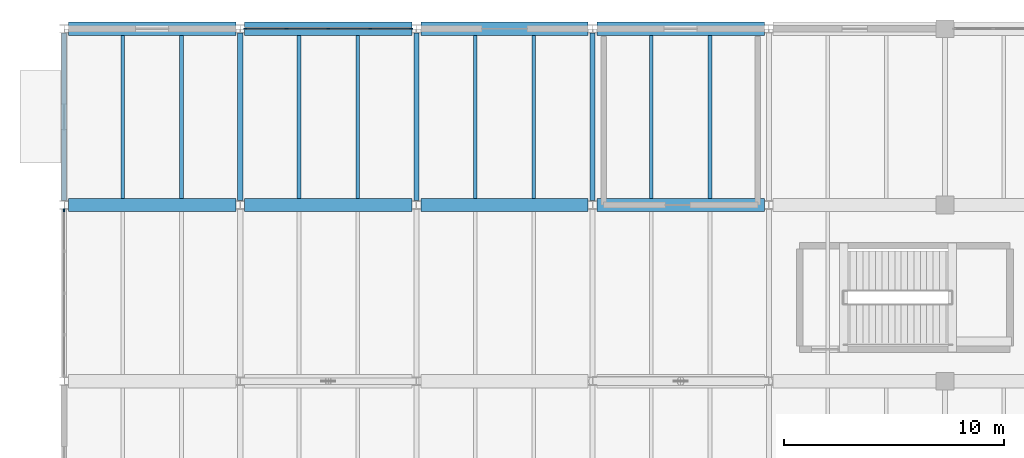
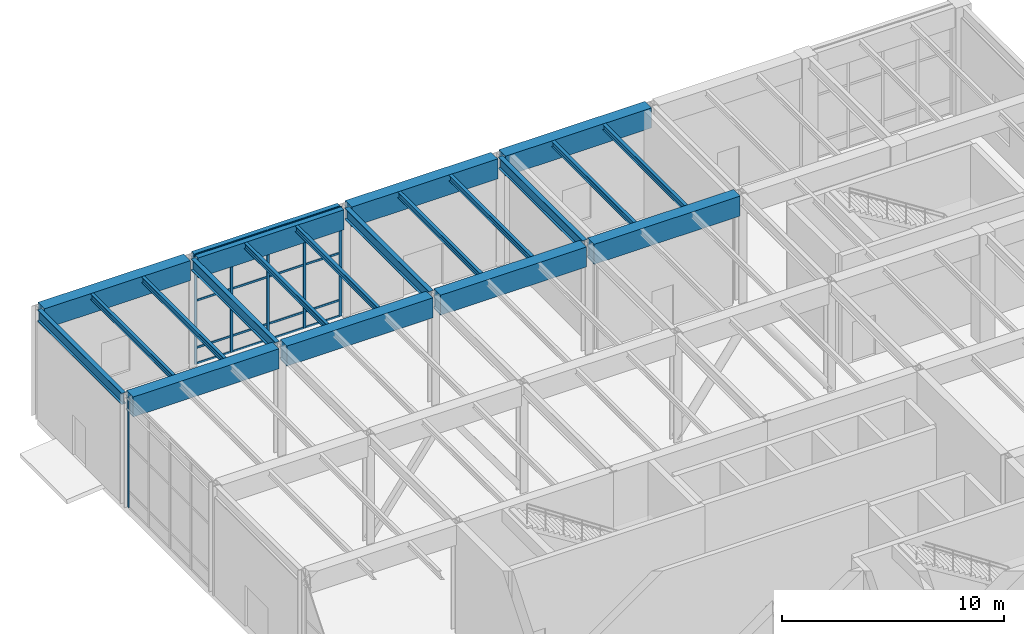
# One storey, part 22 of 51: 22 members, 20 beams, 2 elements without a shape of their own.
"""IFC4 building model written with IfcOpenShell, lengths in metres."""

from ifc_helpers import new_model, si_unit, direction, frame, origin, origin_2d, place, context, subcontext, project, spatial, rectangle, i_section, extrude, material, layer, layer_set, material_profile, profile_set, type_object, element, aggregate, save


model = new_model("IFC4")

# Units and contexts
model_context = context("Model", 3, precision=1e-05, world=origin(), true_north=direction((0.0, 1.0)))
body_context = subcontext(model_context, "Body", "Model", "MODEL_VIEW")
ifc_project = project(units=[si_unit("LENGTHUNIT", "METRE"), si_unit("AREAUNIT", "SQUARE_METRE"), si_unit("VOLUMEUNIT", "CUBIC_METRE"), si_unit("PLANEANGLEUNIT", "RADIAN"), si_unit("MASSUNIT", "GRAM", prefix="KILO")], contexts=[model_context])

# Site, building, storey
site_placement = place(None, origin())
site = spatial("IfcSite", under=ifc_project, at=site_placement, CompositionType="ELEMENT")
building_placement = place(site_placement, origin())
building = spatial("IfcBuilding", under=site, at=building_placement, Name="Varnela Railside Interchange", CompositionType="ELEMENT")
storey_placement = place(building_placement, origin())
storey = spatial("IfcBuildingStorey", under=building, at=storey_placement, Name="L00", CompositionType="ELEMENT", Elevation=0.0)

# Beams
ifc_material_1 = material(Name="Steel AR 350 (350 MPa)", Category="steel")
ifc_material_profile_1 = material_profile(ifc_material_1, i_section(OverallWidth=0.1669921875, OverallDepth=0.31689453125, WebThickness=0.007568359375, FlangeThickness=0.01318359375, at=origin_2d()), Name="W310x52")
ifc_profile_set_1 = profile_set([ifc_material_profile_1], Name="Steel AR 350 (350 MPa)")
beam_type_1 = type_object("IfcBeamType", Name="Composite Long-Span Joist J-03", PredefinedType="JOIST", material=ifc_profile_set_1)
for number, where, z_axis, x_axis, name in (
    (1, (6.669921875, 86.300048828125, 5.861572265625), (0.0, 1.0, 0.0), (-1.0, 0.0, 0.0), "Composite Long-Span Joist J-03 (L00) (BM-1024)"),
    (2, (9.330078125, 86.300048828125, 5.861572265625), (0.0, 1.0, 0.0), (-1.0, 0.0, 0.0), "Composite Long-Span Joist J-03 (L00) (BM-1025)"),
    (3, (14.669921875, 86.300048828125, 5.861572265625), (0.0, 1.0, 0.0), (-1.0, 0.0, 0.0), "Composite Long-Span Joist J-03 (L00) (BM-1112)"),
    (4, (17.330078125, 86.300048828125, 5.861572265625), (0.0, 1.0, 0.0), (-1.0, 0.0, 0.0), "Composite Long-Span Joist J-03 (L00) (BM-1113)"),
    (5, (22.669921875, 86.300048828125, 5.861572265625), (0.0, 1.0, 0.0), (-1.0, 0.0, 0.0), "Composite Long-Span Joist J-03 (L00) (BM-1122)"),
    (6, (25.330078125, 86.300048828125, 5.861572265625), (0.0, 1.0, 0.0), (-1.0, 0.0, 0.0), "Composite Long-Span Joist J-03 (L00) (BM-1123)"),
    (7, (30.669921875, 86.300048828125, 5.861572265625), (0.0, 1.0, 0.0), (-1.0, 0.0, 0.0), "Composite Long-Span Joist J-03 (L00) (BM-1132)"),
    (8, (33.330078125, 86.300048828125, 5.861572265625), (0.0, 1.0, 0.0), (-1.0, 0.0, 0.0), "Composite Long-Span Joist J-03 (L00) (BM-1133)"),
):
    element("IfcBeam", number, at=place(storey_placement, frame(where, z_axis=z_axis, x_axis=x_axis)), inside=storey, type_object=beam_type_1, Name=name, PredefinedType="JOIST", context=body_context, shape_type="SweptSolid", body=[
        extrude(i_section(OverallWidth=0.1669921875, OverallDepth=0.31689453125, WebThickness=0.007568359375, FlangeThickness=0.01318359375, at=origin_2d()), origin(), (0.0, 0.0, 1.0), 7.39990234375),
    ])
ifc_material_2 = material(Name="Concrete C50", Category="concrete")
ifc_material_profile_2 = material_profile(ifc_material_2, rectangle(XDim=0.60009765625, YDim=1.10009765625, at=origin_2d()), Name="RC 600x1100")
ifc_profile_set_2 = profile_set([ifc_material_profile_2], Name="Concrete C50")
beam_type_2 = type_object("IfcBeamType", Name="Concourse RC Girder B-06", PredefinedType="BEAM", material=ifc_profile_set_2)
for number, where, z_axis, x_axis, name in (
    (9, (4.200439453125, 86.0, 5.469970703125), (1.0, 0.0, 0.0), (0.0, 1.0, 0.0), "Concourse RC Girder B-06 (L00) (BM-1290)"),
    (10, (12.200439453125, 86.0, 5.469970703125), (1.0, 0.0, 0.0), (0.0, 1.0, 0.0), "Concourse RC Girder B-06 (L00) (BM-1284)"),
    (11, (20.200439453125, 86.0, 5.469970703125), (1.0, 0.0, 0.0), (0.0, 1.0, 0.0), "Concourse RC Girder B-06 (L00) (BM-1286)"),
    (12, (28.200439453125, 86.0, 5.469970703125), (1.0, 0.0, 0.0), (0.0, 1.0, 0.0), "Concourse RC Girder B-06 (L00) (BM-1287)"),
    (13, (4.200439453125, 94.0, 5.469970703125), (1.0, 0.0, 0.0), (0.0, 1.0, 0.0), "Concourse RC Girder B-06 (L00) (BM-1299)"),
    (14, (12.200439453125, 94.0, 5.469970703125), (1.0, 0.0, 0.0), (0.0, 1.0, 0.0), "Concourse RC Girder B-06 (L00) (BM-1293)"),
    (15, (20.200439453125, 94.0, 5.469970703125), (1.0, 0.0, 0.0), (0.0, 1.0, 0.0), "Concourse RC Girder B-06 (L00) (BM-1295)"),
    (16, (28.200439453125, 94.0, 5.469970703125), (1.0, 0.0, 0.0), (0.0, 1.0, 0.0), "Concourse RC Girder B-06 (L00) (BM-1296)"),
):
    element("IfcBeam", number, at=place(storey_placement, frame(where, z_axis=z_axis, x_axis=x_axis)), inside=storey, type_object=beam_type_2, Name=name, PredefinedType="BEAM", context=body_context, shape_type="SweptSolid", body=[
        extrude(rectangle(XDim=0.60009765625, YDim=1.10009765625, at=origin_2d()), origin(), (0.0, 0.0, 1.0), 7.59912109375),
    ])

# Curtain wall, member
ifc_material_3 = material(Name="Aluminium 6063-T6", Category="aluminium")
ifc_layer = layer(ifc_material_3, 0.035888671875)
ifc_layer_set = layer_set([ifc_layer], Name="Aluminium 6063-T6")
curtain_wall_type = type_object("IfcCurtainWallType", Name="Operations Wing Facade Curtain Wall CW-03", PredefinedType="USERDEFINED", material=ifc_layer_set)
curtain_wall_1_placement = place(storey_placement, origin())
curtain_wall_1 = element("IfcCurtainWall", 17, at=curtain_wall_1_placement, inside=storey, type_object=curtain_wall_type, Name="Curtain Wall CW-03 (L00) (CW-001)", ObjectType="CURTAIN WALL", PredefinedType="USERDEFINED")
ifc_material_profile_3 = material_profile(ifc_material_3, rectangle(XDim=0.06005859375, YDim=0.139892578125, at=origin_2d()), Name="ALU 60x140")
ifc_profile_set_3 = profile_set([ifc_material_profile_3], Name="Aluminium 6063-T6")
member_type_1 = type_object("IfcMemberType", Name="Curtain Wall Mullion ML-01", PredefinedType="MULLION", material=ifc_profile_set_3)
member_1_placement = place(storey_placement, frame((4.0, 85.7705078125, 0.0), z_axis=(0.0, 0.0, 1.0), x_axis=(-1.0, 0.0, 0.0)))
member_1 = element("IfcMember", 18, at=member_1_placement, type_object=member_type_1, Name="CW-03 mullion 5", PredefinedType="MULLION", context=body_context, shape_type="SweptSolid", body=[
    extrude(rectangle(XDim=0.06005859375, YDim=0.139892578125, at=origin_2d()), origin(), (0.0, 0.0, 1.0), 6.02001953125),
])
aggregate(curtain_wall_1, [member_1])

# Curtain wall, members
curtain_wall_2_placement = place(storey_placement, origin())
curtain_wall_2 = element("IfcCurtainWall", 19, at=curtain_wall_2_placement, inside=storey, type_object=curtain_wall_type, Name="Curtain Wall CW-03 (L00) (CW-002)", ObjectType="CURTAIN WALL", PredefinedType="USERDEFINED")
member_2_placement = place(storey_placement, frame((12.23046875, 94.0, 0.0), z_axis=(0.0, 0.0, 1.0), x_axis=(0.0, 1.0, 0.0)))
member_2 = element("IfcMember", 20, at=member_2_placement, type_object=member_type_1, Name="CW-03 mullion 1", PredefinedType="MULLION", context=body_context, shape_type="SweptSolid", body=[
    extrude(rectangle(XDim=0.06005859375, YDim=0.139892578125, at=origin_2d()), origin(), (0.0, 0.0, 1.0), 6.02001953125),
])
member_3_placement = place(storey_placement, frame((14.100341796875, 94.0, 0.0), z_axis=(0.0, 0.0, 1.0), x_axis=(0.0, 1.0, 0.0)))
member_3 = element("IfcMember", 21, at=member_3_placement, type_object=member_type_1, Name="CW-03 mullion 2", PredefinedType="MULLION", context=body_context, shape_type="SweptSolid", body=[
    extrude(rectangle(XDim=0.06005859375, YDim=0.139892578125, at=origin_2d()), origin(), (0.0, 0.0, 1.0), 6.02001953125),
])
member_4_placement = place(storey_placement, frame((16.0, 94.0, 0.0), z_axis=(0.0, 0.0, 1.0), x_axis=(0.0, 1.0, 0.0)))
member_4 = element("IfcMember", 22, at=member_4_placement, type_object=member_type_1, Name="CW-03 mullion 3", PredefinedType="MULLION", context=body_context, shape_type="SweptSolid", body=[
    extrude(rectangle(XDim=0.06005859375, YDim=0.139892578125, at=origin_2d()), origin(), (0.0, 0.0, 1.0), 6.02001953125),
])
member_5_placement = place(storey_placement, frame((17.899658203125, 94.0, 0.0), z_axis=(0.0, 0.0, 1.0), x_axis=(0.0, 1.0, 0.0)))
member_5 = element("IfcMember", 23, at=member_5_placement, type_object=member_type_1, Name="CW-03 mullion 4", PredefinedType="MULLION", context=body_context, shape_type="SweptSolid", body=[
    extrude(rectangle(XDim=0.06005859375, YDim=0.139892578125, at=origin_2d()), origin(), (0.0, 0.0, 1.0), 6.02001953125),
])
member_6_placement = place(storey_placement, frame((19.76953125, 94.0, 0.0), z_axis=(0.0, 0.0, 1.0), x_axis=(0.0, 1.0, 0.0)))
member_6 = element("IfcMember", 24, at=member_6_placement, type_object=member_type_1, Name="CW-03 mullion 5", PredefinedType="MULLION", context=body_context, shape_type="SweptSolid", body=[
    extrude(rectangle(XDim=0.06005859375, YDim=0.139892578125, at=origin_2d()), origin(), (0.0, 0.0, 1.0), 6.02001953125),
])
ifc_material_profile_4 = material_profile(ifc_material_3, rectangle(XDim=0.06005859375, YDim=0.110107421875, at=origin_2d()), Name="ALU 60x110")
ifc_profile_set_4 = profile_set([ifc_material_profile_4], Name="Aluminium 6063-T6")
member_type_2 = type_object("IfcMemberType", Name="Curtain Wall Transom TR-01", PredefinedType="USERDEFINED", material=ifc_profile_set_4)
member_7_placement = place(storey_placement, frame((12.260498046875, 94.0, 0.030029296875), z_axis=(1.0, 0.0, 0.0), x_axis=(0.0, 1.0, 0.0)))
member_7 = element("IfcMember", 25, at=member_7_placement, type_object=member_type_2, Name="CW-03 transom 1.1", ObjectType="TRANSOM", PredefinedType="USERDEFINED", context=body_context, shape_type="SweptSolid", body=[
    extrude(rectangle(XDim=0.06005859375, YDim=0.110107421875, at=origin_2d()), origin(), (0.0, 0.0, 1.0), 1.809814453125),
])
member_8_placement = place(storey_placement, frame((12.260498046875, 94.0, 0.89990234375), z_axis=(1.0, 0.0, 0.0), x_axis=(0.0, 1.0, 0.0)))
member_8 = element("IfcMember", 26, at=member_8_placement, type_object=member_type_2, Name="CW-03 transom 1.2", ObjectType="TRANSOM", PredefinedType="USERDEFINED", context=body_context, shape_type="SweptSolid", body=[
    extrude(rectangle(XDim=0.06005859375, YDim=0.110107421875, at=origin_2d()), origin(), (0.0, 0.0, 1.0), 1.809814453125),
])
member_9_placement = place(storey_placement, frame((12.260498046875, 94.0, 3.49169921875), z_axis=(1.0, 0.0, 0.0), x_axis=(0.0, 1.0, 0.0)))
member_9 = element("IfcMember", 27, at=member_9_placement, type_object=member_type_2, Name="CW-03 transom 1.3", ObjectType="TRANSOM", PredefinedType="USERDEFINED", context=body_context, shape_type="SweptSolid", body=[
    extrude(rectangle(XDim=0.06005859375, YDim=0.110107421875, at=origin_2d()), origin(), (0.0, 0.0, 1.0), 1.809814453125),
])
member_10_placement = place(storey_placement, frame((12.260498046875, 94.0, 5.989990234375), z_axis=(1.0, 0.0, 0.0), x_axis=(0.0, 1.0, 0.0)))
member_10 = element("IfcMember", 28, at=member_10_placement, type_object=member_type_2, Name="CW-03 transom 1.4", ObjectType="TRANSOM", PredefinedType="USERDEFINED", context=body_context, shape_type="SweptSolid", body=[
    extrude(rectangle(XDim=0.06005859375, YDim=0.110107421875, at=origin_2d()), origin(), (0.0, 0.0, 1.0), 1.809814453125),
])
member_11_placement = place(storey_placement, frame((14.13037109375, 94.0, 0.030029296875), z_axis=(1.0, 0.0, 0.0), x_axis=(0.0, 1.0, 0.0)))
member_11 = element("IfcMember", 29, at=member_11_placement, type_object=member_type_2, Name="CW-03 transom 2.1", ObjectType="TRANSOM", PredefinedType="USERDEFINED", context=body_context, shape_type="SweptSolid", body=[
    extrude(rectangle(XDim=0.06005859375, YDim=0.110107421875, at=origin_2d()), origin(), (0.0, 0.0, 1.0), 1.839599609375),
])
member_12_placement = place(storey_placement, frame((14.13037109375, 94.0, 0.89990234375), z_axis=(1.0, 0.0, 0.0), x_axis=(0.0, 1.0, 0.0)))
member_12 = element("IfcMember", 30, at=member_12_placement, type_object=member_type_2, Name="CW-03 transom 2.2", ObjectType="TRANSOM", PredefinedType="USERDEFINED", context=body_context, shape_type="SweptSolid", body=[
    extrude(rectangle(XDim=0.06005859375, YDim=0.110107421875, at=origin_2d()), origin(), (0.0, 0.0, 1.0), 1.839599609375),
])
member_13_placement = place(storey_placement, frame((14.13037109375, 94.0, 3.49169921875), z_axis=(1.0, 0.0, 0.0), x_axis=(0.0, 1.0, 0.0)))
member_13 = element("IfcMember", 31, at=member_13_placement, type_object=member_type_2, Name="CW-03 transom 2.3", ObjectType="TRANSOM", PredefinedType="USERDEFINED", context=body_context, shape_type="SweptSolid", body=[
    extrude(rectangle(XDim=0.06005859375, YDim=0.110107421875, at=origin_2d()), origin(), (0.0, 0.0, 1.0), 1.839599609375),
])
member_14_placement = place(storey_placement, frame((14.13037109375, 94.0, 5.989990234375), z_axis=(1.0, 0.0, 0.0), x_axis=(0.0, 1.0, 0.0)))
member_14 = element("IfcMember", 32, at=member_14_placement, type_object=member_type_2, Name="CW-03 transom 2.4", ObjectType="TRANSOM", PredefinedType="USERDEFINED", context=body_context, shape_type="SweptSolid", body=[
    extrude(rectangle(XDim=0.06005859375, YDim=0.110107421875, at=origin_2d()), origin(), (0.0, 0.0, 1.0), 1.839599609375),
])
member_15_placement = place(storey_placement, frame((16.030029296875, 94.0, 0.030029296875), z_axis=(1.0, 0.0, 0.0), x_axis=(0.0, 1.0, 0.0)))
member_15 = element("IfcMember", 33, at=member_15_placement, type_object=member_type_2, Name="CW-03 transom 3.1", ObjectType="TRANSOM", PredefinedType="USERDEFINED", context=body_context, shape_type="SweptSolid", body=[
    extrude(rectangle(XDim=0.06005859375, YDim=0.110107421875, at=origin_2d()), origin(), (0.0, 0.0, 1.0), 1.839599609375),
])
member_16_placement = place(storey_placement, frame((16.030029296875, 94.0, 0.89990234375), z_axis=(1.0, 0.0, 0.0), x_axis=(0.0, 1.0, 0.0)))
member_16 = element("IfcMember", 34, at=member_16_placement, type_object=member_type_2, Name="CW-03 transom 3.2", ObjectType="TRANSOM", PredefinedType="USERDEFINED", context=body_context, shape_type="SweptSolid", body=[
    extrude(rectangle(XDim=0.06005859375, YDim=0.110107421875, at=origin_2d()), origin(), (0.0, 0.0, 1.0), 1.839599609375),
])
member_17_placement = place(storey_placement, frame((16.030029296875, 94.0, 3.49169921875), z_axis=(1.0, 0.0, 0.0), x_axis=(0.0, 1.0, 0.0)))
member_17 = element("IfcMember", 35, at=member_17_placement, type_object=member_type_2, Name="CW-03 transom 3.3", ObjectType="TRANSOM", PredefinedType="USERDEFINED", context=body_context, shape_type="SweptSolid", body=[
    extrude(rectangle(XDim=0.06005859375, YDim=0.110107421875, at=origin_2d()), origin(), (0.0, 0.0, 1.0), 1.839599609375),
])
member_18_placement = place(storey_placement, frame((16.030029296875, 94.0, 5.989990234375), z_axis=(1.0, 0.0, 0.0), x_axis=(0.0, 1.0, 0.0)))
member_18 = element("IfcMember", 36, at=member_18_placement, type_object=member_type_2, Name="CW-03 transom 3.4", ObjectType="TRANSOM", PredefinedType="USERDEFINED", context=body_context, shape_type="SweptSolid", body=[
    extrude(rectangle(XDim=0.06005859375, YDim=0.110107421875, at=origin_2d()), origin(), (0.0, 0.0, 1.0), 1.839599609375),
])
member_19_placement = place(storey_placement, frame((17.9296875, 94.0, 0.030029296875), z_axis=(1.0, 0.0, 0.0), x_axis=(0.0, 1.0, 0.0)))
member_19 = element("IfcMember", 37, at=member_19_placement, type_object=member_type_2, Name="CW-03 transom 4.1", ObjectType="TRANSOM", PredefinedType="USERDEFINED", context=body_context, shape_type="SweptSolid", body=[
    extrude(rectangle(XDim=0.06005859375, YDim=0.110107421875, at=origin_2d()), origin(), (0.0, 0.0, 1.0), 1.809814453125),
])
member_20_placement = place(storey_placement, frame((17.9296875, 94.0, 0.89990234375), z_axis=(1.0, 0.0, 0.0), x_axis=(0.0, 1.0, 0.0)))
member_20 = element("IfcMember", 38, at=member_20_placement, type_object=member_type_2, Name="CW-03 transom 4.2", ObjectType="TRANSOM", PredefinedType="USERDEFINED", context=body_context, shape_type="SweptSolid", body=[
    extrude(rectangle(XDim=0.06005859375, YDim=0.110107421875, at=origin_2d()), origin(), (0.0, 0.0, 1.0), 1.809814453125),
])
member_21_placement = place(storey_placement, frame((17.9296875, 94.0, 3.49169921875), z_axis=(1.0, 0.0, 0.0), x_axis=(0.0, 1.0, 0.0)))
member_21 = element("IfcMember", 39, at=member_21_placement, type_object=member_type_2, Name="CW-03 transom 4.3", ObjectType="TRANSOM", PredefinedType="USERDEFINED", context=body_context, shape_type="SweptSolid", body=[
    extrude(rectangle(XDim=0.06005859375, YDim=0.110107421875, at=origin_2d()), origin(), (0.0, 0.0, 1.0), 1.809814453125),
])
member_22_placement = place(storey_placement, frame((17.9296875, 94.0, 5.989990234375), z_axis=(1.0, 0.0, 0.0), x_axis=(0.0, 1.0, 0.0)))
member_22 = element("IfcMember", 40, at=member_22_placement, type_object=member_type_2, Name="CW-03 transom 4.4", ObjectType="TRANSOM", PredefinedType="USERDEFINED", context=body_context, shape_type="SweptSolid", body=[
    extrude(rectangle(XDim=0.06005859375, YDim=0.110107421875, at=origin_2d()), origin(), (0.0, 0.0, 1.0), 1.809814453125),
])
aggregate(curtain_wall_2, [member_2, member_3, member_4, member_5, member_6, member_7, member_8, member_9, member_10, member_11, member_12, member_13, member_14, member_15, member_16, member_17, member_18, member_19, member_20, member_21, member_22])

# Beams
ifc_material_profile_5 = material_profile(ifc_material_1, i_section(OverallWidth=0.22900390625, OverallDepth=0.612060546875, WebThickness=0.011962890625, FlangeThickness=0.01953125, at=origin_2d()), Name="W610x125")
ifc_profile_set_5 = profile_set([ifc_material_profile_5], Name="Steel AR 350 (350 MPa)")
beam_type_3 = type_object("IfcBeamType", Name="Podium Composite Girder B-15", PredefinedType="BEAM", material=ifc_profile_set_5)
for number, where, z_axis, x_axis, name in (
    (41, (4.0, 86.199462890625, 5.714111328125), (0.0, 1.0, 0.0), (-1.0, 0.0, 0.0), "Podium Composite Girder B-15 (L00) (BM-1348)"),
    (42, (12.0, 86.199462890625, 5.714111328125), (0.0, 1.0, 0.0), (-1.0, 0.0, 0.0), "Podium Composite Girder B-15 (L00) (BM-1358)"),
    (43, (20.0, 86.199462890625, 5.714111328125), (0.0, 1.0, 0.0), (-1.0, 0.0, 0.0), "Podium Composite Girder B-15 (L00) (BM-1363)"),
    (44, (28.0, 86.199462890625, 5.714111328125), (0.0, 1.0, 0.0), (-1.0, 0.0, 0.0), "Podium Composite Girder B-15 (L00) (BM-1368)"),
):
    element("IfcBeam", number, at=place(storey_placement, frame(where, z_axis=z_axis, x_axis=x_axis)), inside=storey, type_object=beam_type_3, Name=name, PredefinedType="BEAM", context=body_context, shape_type="SweptSolid", body=[
        extrude(i_section(OverallWidth=0.22900390625, OverallDepth=0.612060546875, WebThickness=0.011962890625, FlangeThickness=0.01953125, at=origin_2d()), origin(), (0.0, 0.0, 1.0), 7.60107421875),
    ])

save(model, "model.ifc")
